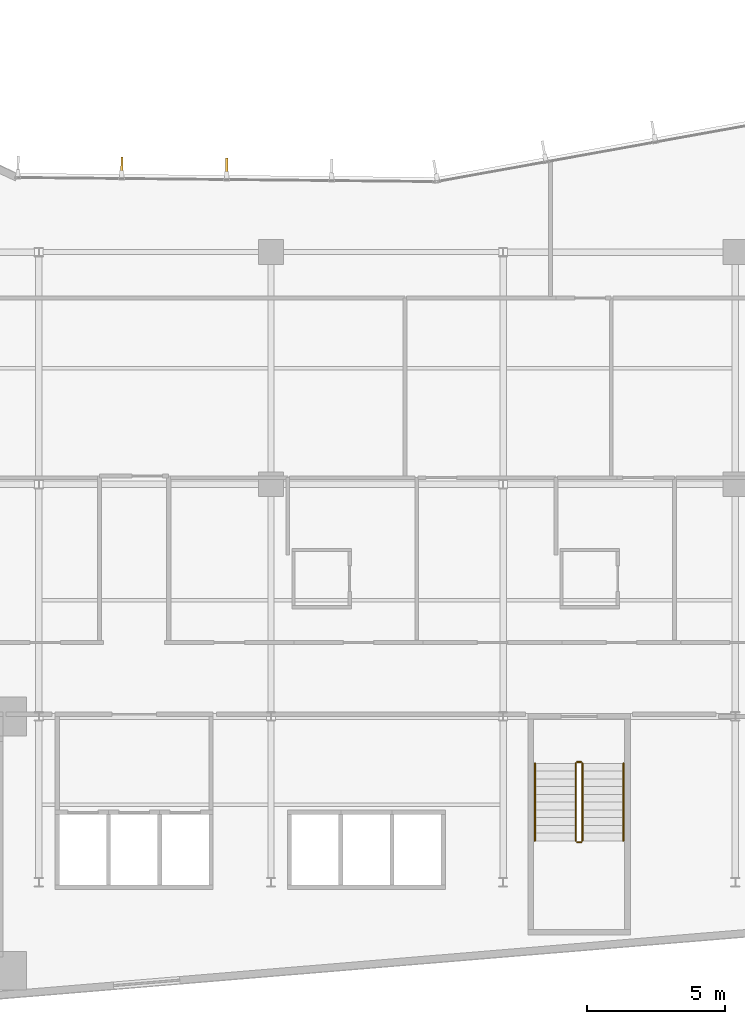
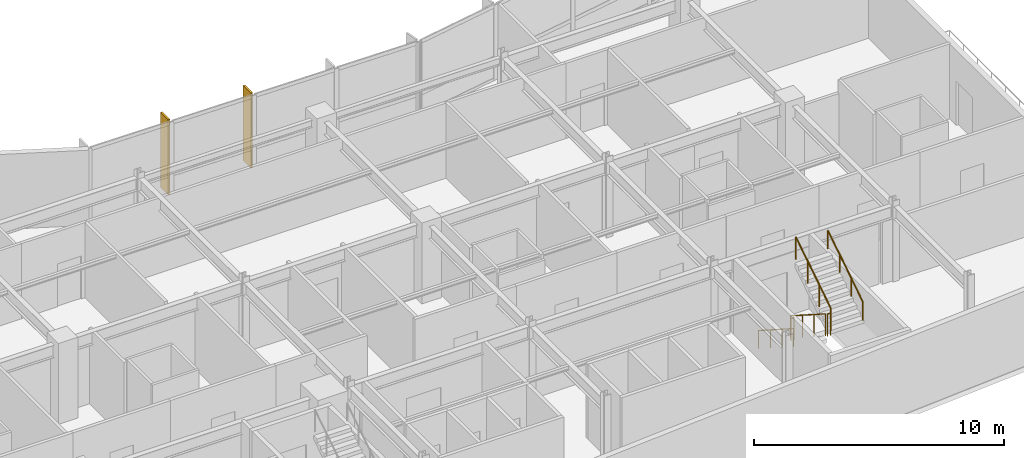
# One storey, part 16 of 19: 6 railings, 2 shading devices.
"""IFC4 building model written with IfcOpenShell, lengths in metres."""

from ifc_helpers import new_model, si_unit, direction, frame, origin, origin_2d, place, context, subcontext, project, spatial, rectangle, circle, extrude, material, layer, layer_set, type_object, element, save


model = new_model("IFC4")

# Units and contexts
model_context = context("Model", 3, precision=1e-05, world=origin(), true_north=direction((0.0, 1.0)))
body_context = subcontext(model_context, "Body", "Model", "MODEL_VIEW")
ifc_project = project(units=[si_unit("LENGTHUNIT", "METRE"), si_unit("AREAUNIT", "SQUARE_METRE"), si_unit("VOLUMEUNIT", "CUBIC_METRE"), si_unit("PLANEANGLEUNIT", "RADIAN"), si_unit("MASSUNIT", "GRAM", prefix="KILO")], contexts=[model_context])

# Site, building, storey
site_placement = place(None, origin())
site = spatial("IfcSite", under=ifc_project, at=site_placement, CompositionType="ELEMENT")
building_placement = place(site_placement, origin())
building = spatial("IfcBuilding", under=site, at=building_placement, Name="Varnakote Quay Hospital", CompositionType="ELEMENT")
storey_placement = place(building_placement, frame((0.0, 0.0, 93.60009765625)))
storey = spatial("IfcBuildingStorey", under=building, at=storey_placement, Name="L23", CompositionType="ELEMENT", Elevation=93.60009765625)

# Railings
ifc_material_1 = material(Name="Brushed stainless steel balustrade", Category="steel")
railing_type_1 = type_object("IfcRailingType", Name="RLG-STAIR-GUARD-1150", PredefinedType="GUARDRAIL", material=ifc_material_1)
railing_1_placement = place(storey_placement, frame((44.6298828125, 10.300048828125, 0.179443359375)))
element("IfcRailing", 1, at=railing_1_placement, inside=storey, type_object=railing_type_1, Name="L23 ST-03 stair guard 1", PredefinedType="GUARDRAIL", context=body_context, shape_type="SweptSolid", body=[
    extrude(circle(Radius=0.02392578125, at=origin_2d()), frame((0.0, 0.0, 1.076171875), z_axis=(0.0, -0.841809871826, 0.539774156196), x_axis=(1.0, 0.0, 0.0)), (0.0, 0.0, 1.0), 3.326171875),
    extrude(circle(Radius=0.02099609375, at=origin_2d()), origin(), (0.0, 0.0, 1.0), 1.052001953125),
    extrude(circle(Radius=0.02099609375, at=origin_2d()), frame((0.0, -0.933349609375, 0.598388671875)), (0.0, 0.0, 1.0), 1.052001953125),
    extrude(circle(Radius=0.02099609375, at=origin_2d()), frame((0.0, -1.86669921875, 1.197021484375)), (0.0, 0.0, 1.0), 1.052001953125),
    extrude(circle(Radius=0.02099609375, at=origin_2d()), frame((0.0, -2.800048828125, 1.79541015625)), (0.0, 0.0, 1.0), 1.052001953125),
])
railing_2_placement = place(storey_placement, frame((44.679931640625, 7.449951171875, 1.974853515625)))
element("IfcRailing", 2, at=railing_2_placement, inside=storey, type_object=railing_type_1, Name="L23 ST-03 stair guard 2", PredefinedType="GUARDRAIL", context=body_context, shape_type="SweptSolid", body=[
    extrude(circle(Radius=0.02392578125, at=origin_2d()), frame((0.0, 0.0, 1.076171875), z_axis=(1.0, 0.0, 0.0), x_axis=(0.0, 1.0, 0.0)), (0.0, 0.0, 1.0), 0.14013671875),
    extrude(circle(Radius=0.02099609375, at=origin_2d()), origin(), (0.0, 0.0, 1.0), 1.052001953125),
    extrude(circle(Radius=0.02099609375, at=origin_2d()), frame((0.14013671875, 0.0, 0.0)), (0.0, 0.0, 1.0), 1.052001953125),
])
railing_3_placement = place(storey_placement, frame((44.8701171875, 7.5, 2.154541015625)))
element("IfcRailing", 3, at=railing_3_placement, inside=storey, type_object=railing_type_1, Name="L23 ST-03 stair guard 3", PredefinedType="GUARDRAIL", context=body_context, shape_type="SweptSolid", body=[
    extrude(circle(Radius=0.02392578125, at=origin_2d()), frame((0.0, 0.0, 1.076171875), z_axis=(0.0, 0.841809871826, 0.539774156196), x_axis=(-1.0, 0.0, 0.0)), (0.0, 0.0, 1.0), 3.326171875),
    extrude(circle(Radius=0.02099609375, at=origin_2d()), origin(), (0.0, 0.0, 1.0), 1.052001953125),
    extrude(circle(Radius=0.02099609375, at=origin_2d()), frame((0.0, 0.933349609375, 0.598388671875)), (0.0, 0.0, 1.0), 1.052001953125),
    extrude(circle(Radius=0.02099609375, at=origin_2d()), frame((0.0, 1.86669921875, 1.197021484375)), (0.0, 0.0, 1.0), 1.052001953125),
    extrude(circle(Radius=0.02099609375, at=origin_2d()), frame((0.0, 2.800048828125, 1.79541015625)), (0.0, 0.0, 1.0), 1.052001953125),
])
railing_4_placement = place(storey_placement, frame((44.679931640625, 10.35009765625, 0.0)))
element("IfcRailing", 4, at=railing_4_placement, inside=storey, type_object=railing_type_1, Name="L23 ST-03 stair guard 4", PredefinedType="GUARDRAIL", context=body_context, shape_type="SweptSolid", body=[
    extrude(circle(Radius=0.02392578125, at=origin_2d()), frame((0.0, 0.0, 1.076171875), z_axis=(1.0, 0.0, 0.0), x_axis=(0.0, 1.0, 0.0)), (0.0, 0.0, 1.0), 0.14013671875),
    extrude(circle(Radius=0.02099609375, at=origin_2d()), origin(), (0.0, 0.0, 1.0), 1.052001953125),
    extrude(circle(Radius=0.02099609375, at=origin_2d()), frame((0.14013671875, 0.0, 0.0)), (0.0, 0.0, 1.0), 1.052001953125),
])
ifc_material_2 = material(Name="Brushed stainless steel handrail", Category="steel")
railing_type_2 = type_object("IfcRailingType", Name="RLG-STAIR-HND-920", PredefinedType="HANDRAIL", material=ifc_material_2)
railing_5_placement = place(storey_placement, frame((43.14990234375, 10.300048828125, 0.179443359375)))
element("IfcRailing", 5, at=railing_5_placement, inside=storey, type_object=railing_type_2, Name="L23 ST-03 stair handrail 1", PredefinedType="HANDRAIL", context=body_context, shape_type="SweptSolid", body=[
    extrude(circle(Radius=0.02392578125, at=origin_2d()), frame((0.0, 0.0, 0.8759765625), z_axis=(0.0, -0.841809871826, 0.539774156196), x_axis=(1.0, 0.0, 0.0)), (0.0, 0.0, 1.0), 3.326171875),
    extrude(circle(Radius=0.02099609375, at=origin_2d()), origin(), (0.0, 0.0, 1.0), 0.851806640625),
    extrude(circle(Radius=0.02099609375, at=origin_2d()), frame((0.0, -0.933349609375, 0.598388671875)), (0.0, 0.0, 1.0), 0.851806640625),
    extrude(circle(Radius=0.02099609375, at=origin_2d()), frame((0.0, -1.86669921875, 1.197021484375)), (0.0, 0.0, 1.0), 0.851806640625),
    extrude(circle(Radius=0.02099609375, at=origin_2d()), frame((0.0, -2.800048828125, 1.79541015625)), (0.0, 0.0, 1.0), 0.851806640625),
])
railing_6_placement = place(storey_placement, frame((46.35009765625, 7.5, 2.154541015625)))
element("IfcRailing", 6, at=railing_6_placement, inside=storey, type_object=railing_type_2, Name="L23 ST-03 stair handrail 2", PredefinedType="HANDRAIL", context=body_context, shape_type="SweptSolid", body=[
    extrude(circle(Radius=0.02392578125, at=origin_2d()), frame((0.0, 0.0, 0.8759765625), z_axis=(0.0, 0.841809871826, 0.539774156196), x_axis=(-1.0, 0.0, 0.0)), (0.0, 0.0, 1.0), 3.326171875),
    extrude(circle(Radius=0.02099609375, at=origin_2d()), origin(), (0.0, 0.0, 1.0), 0.851806640625),
    extrude(circle(Radius=0.02099609375, at=origin_2d()), frame((0.0, 0.933349609375, 0.598388671875)), (0.0, 0.0, 1.0), 0.851806640625),
    extrude(circle(Radius=0.02099609375, at=origin_2d()), frame((0.0, 1.86669921875, 1.197021484375)), (0.0, 0.0, 1.0), 0.851806640625),
    extrude(circle(Radius=0.02099609375, at=origin_2d()), frame((0.0, 2.800048828125, 1.79541015625)), (0.0, 0.0, 1.0), 0.851806640625),
])

# Shading devices
ifc_material_3 = material(Name="Anodised aluminium 6063-T6 Bronze", Category="aluminium")
ifc_layer = layer(ifc_material_3, 0.0849609375)
ifc_layer_set = layer_set([ifc_layer], Name="Anodised aluminium 6063-T6 Bronze")
shading_device_type = type_object("IfcShadingDeviceType", Name="SHD-BRONZE-FIN-620", PredefinedType="USERDEFINED", material=ifc_layer_set)
for number, where, z_axis, x_axis, name in (
    (7, (32.003173828125, 31.88818359375, 0.0), (0.0, 0.0, 1.0), (-0.009773688199, -0.999952236369, 0.0), "L23 Anodised Bronze Vertical Shading FIN"),
    (8, (28.207763671875, 31.92529296875, 0.0), (0.0, 0.0, 1.0), (-0.009773688199, -0.999952236369, 0.0), "L23 Anodised Bronze Vertical Shading FIN"),
):
    element("IfcShadingDevice", number, at=place(storey_placement, frame(where, z_axis=z_axis, x_axis=x_axis)), inside=storey, type_object=shading_device_type, Name=name, ObjectType="FIN", PredefinedType="USERDEFINED", context=body_context, shape_type="SweptSolid", body=[
        extrude(rectangle(XDim=0.6201171875, YDim=0.0849609375, at=origin_2d()), origin(), (0.0, 0.0, 1.0), 3.669921875),
    ])

save(model, "model.ifc")
